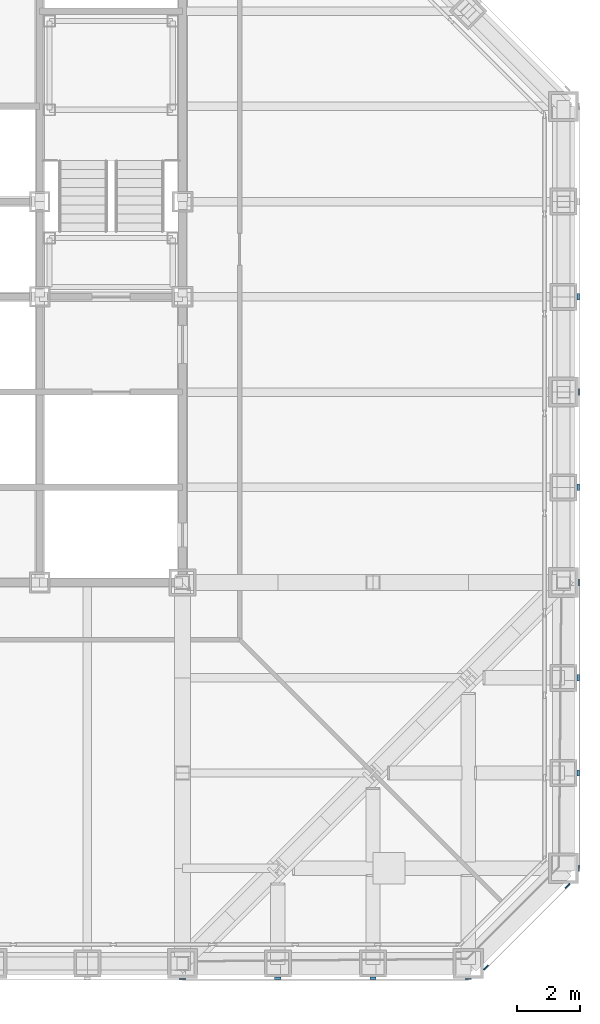
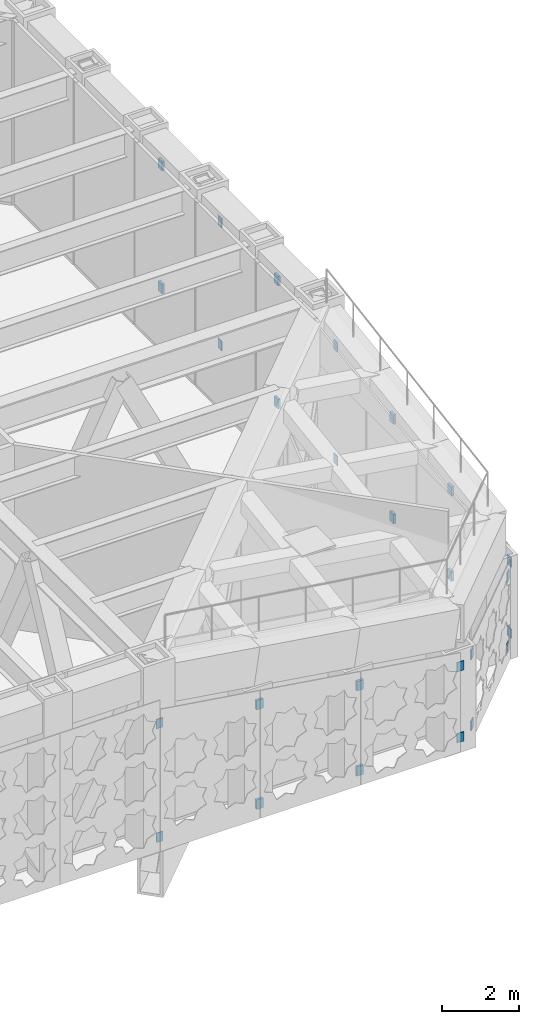
# One storey, part 15 of 28: 26 discrete accessories.
"""IFC4 building model written with IfcOpenShell, lengths in metres."""

from ifc_helpers import new_model, si_unit, direction, frame, origin, origin_2d, place, context, subcontext, project, spatial, rectangle, extrude, material, type_object, element, save


model = new_model("IFC4")

# Units and contexts
model_context = context("Model", 3, precision=1e-05, world=origin(), true_north=direction((0.0, 1.0)))
body_context = subcontext(model_context, "Body", "Model", "MODEL_VIEW")
ifc_project = project(units=[si_unit("LENGTHUNIT", "METRE"), si_unit("AREAUNIT", "SQUARE_METRE"), si_unit("VOLUMEUNIT", "CUBIC_METRE"), si_unit("PLANEANGLEUNIT", "RADIAN"), si_unit("MASSUNIT", "GRAM", prefix="KILO")], contexts=[model_context])

# Site, building, storey
site_placement = place(None, origin())
site = spatial("IfcSite", under=ifc_project, at=site_placement, CompositionType="ELEMENT")
building_placement = place(site_placement, origin())
building = spatial("IfcBuilding", under=site, at=building_placement, Name="Chuquiago Exchange Tower", CompositionType="ELEMENT")
storey_placement = place(building_placement, frame((0.0, 0.0, 174.0)))
storey = spatial("IfcBuildingStorey", under=building, at=storey_placement, Name="L38", CompositionType="ELEMENT", Elevation=174.0)

# Discrete accessories
ifc_material_1 = material(Name="Stainless steel plate bracket", Category="steel")
discrete_accessory_type_1 = type_object("IfcDiscreteAccessoryType", Name="GB4 cladding bracket 75", PredefinedType="BRACKET", material=ifc_material_1)
for number, where, z_axis, x_axis, name in (
    (1, (36.0, -0.46240234375, 0.35009765625), (0.0, 0.0, 1.0), (1.0, 0.0, 0.0), "Cladding bracket L38 S"),
    (2, (36.0, -0.46240234375, 3.498046875), (0.0, 0.0, 1.0), (1.0, 0.0, 0.0), "Cladding bracket L38 S"),
    (3, (39.0, -0.46240234375, 0.35009765625), (0.0, 0.0, 1.0), (1.0, 0.0, 0.0), "Cladding bracket L38 S"),
    (4, (39.0, -0.46240234375, 3.04736328125), (0.0, 0.0, 1.0), (1.0, 0.0, 0.0), "Cladding bracket L38 S"),
    (5, (45.46240234375, 6.0, 0.35009765625), (0.0, 0.0, 1.0), (0.0, 1.0, 0.0), "Cladding bracket L38 E"),
    (6, (45.46240234375, 6.0, 3.04736328125), (0.0, 0.0, 1.0), (0.0, 1.0, 0.0), "Cladding bracket L38 E"),
    (7, (45.46240234375, 9.0, 0.35009765625), (0.0, 0.0, 1.0), (0.0, 1.0, 0.0), "Cladding bracket L38 E"),
    (8, (45.46240234375, 9.0, 3.498046875), (0.0, 0.0, 1.0), (0.0, 1.0, 0.0), "Cladding bracket L38 E"),
    (9, (45.46240234375, 15.0, 0.35009765625), (0.0, 0.0, 1.0), (0.0, 1.0, 0.0), "Cladding bracket L38 E"),
    (10, (45.46240234375, 15.0, 4.23974609375), (0.0, 0.0, 1.0), (0.0, 1.0, 0.0), "Cladding bracket L38 E"),
    (11, (45.46240234375, 21.0, 0.35009765625), (0.0, 0.0, 1.0), (0.0, 1.0, 0.0), "Cladding bracket L38 E"),
    (12, (45.46240234375, 21.0, 4.23974609375), (0.0, 0.0, 1.0), (0.0, 1.0, 0.0), "Cladding bracket L38 E"),
):
    element("IfcDiscreteAccessory", number, at=place(storey_placement, frame(where, z_axis=z_axis, x_axis=x_axis)), inside=storey, type_object=discrete_accessory_type_1, Name=name, PredefinedType="BRACKET", context=body_context, shape_type="SweptSolid", body=[
        extrude(rectangle(XDim=0.199951171875, YDim=0.074951171875, at=origin_2d()), origin(), (0.0, 0.0, 1.0), 0.300048828125),
    ])
ifc_material_2 = material(Name="Stainless steel plate bracket", Category="steel")
discrete_accessory_type_2 = type_object("IfcDiscreteAccessoryType", Name="GB6 cladding bracket 35", PredefinedType="BRACKET", material=ifc_material_2)
for number, where, z_axis, x_axis, name in (
    (13, (42.55810546875, -0.123779296875, 0.35009765625), (0.0, 0.0, 1.0), (0.707106781187, 0.707106781187, 0.0), "Cladding bracket L38 SE"),
    (14, (42.55810546875, -0.123779296875, 2.59716796875), (0.0, 0.0, 1.0), (0.707106781187, 0.707106781187, 0.0), "Cladding bracket L38 SE"),
    (15, (45.123779296875, 2.44189453125, 0.35009765625), (0.0, 0.0, 1.0), (0.707106781187, 0.707106781187, 0.0), "Cladding bracket L38 SE"),
    (16, (45.123779296875, 2.44189453125, 2.59716796875), (0.0, 0.0, 1.0), (0.707106781187, 0.707106781187, 0.0), "Cladding bracket L38 SE"),
):
    element("IfcDiscreteAccessory", number, at=place(storey_placement, frame(where, z_axis=z_axis, x_axis=x_axis)), inside=storey, type_object=discrete_accessory_type_2, Name=name, PredefinedType="BRACKET", context=body_context, shape_type="SweptSolid", body=[
        extrude(rectangle(XDim=0.199951171875, YDim=0.035400390625, at=origin_2d()), origin(), (0.0, 0.0, 1.0), 0.300048828125),
    ])
ifc_material_3 = material(Name="Stainless steel plate bracket", Category="steel")
discrete_accessory_type_3 = type_object("IfcDiscreteAccessoryType", Name="GB7 cladding bracket 25", PredefinedType="BRACKET", material=ifc_material_3)
for number, where, z_axis, x_axis, name in (
    (17, (33.0, -0.487548828125, 0.35009765625), (0.0, 0.0, 1.0), (1.0, 0.0, 0.0), "Cladding bracket L38 S"),
    (18, (33.0, -0.487548828125, 3.94921875), (0.0, 0.0, 1.0), (1.0, 0.0, 0.0), "Cladding bracket L38 S"),
    (19, (42.0, -0.487548828125, 0.35009765625), (0.0, 0.0, 1.0), (1.0, 0.0, 0.0), "Cladding bracket L38 S"),
    (20, (42.0, -0.487548828125, 2.59814453125), (0.0, 0.0, 1.0), (1.0, 0.0, 0.0), "Cladding bracket L38 S"),
    (21, (45.487548828125, 3.0, 0.35009765625), (0.0, 0.0, 1.0), (0.0, 1.0, 0.0), "Cladding bracket L38 E"),
    (22, (45.487548828125, 3.0, 2.59814453125), (0.0, 0.0, 1.0), (0.0, 1.0, 0.0), "Cladding bracket L38 E"),
    (23, (45.487548828125, 12.0, 0.35009765625), (0.0, 0.0, 1.0), (0.0, 1.0, 0.0), "Cladding bracket L38 E"),
    (24, (45.487548828125, 12.0, 3.94921875), (0.0, 0.0, 1.0), (0.0, 1.0, 0.0), "Cladding bracket L38 E"),
    (25, (45.487548828125, 18.0, 0.35009765625), (0.0, 0.0, 1.0), (0.0, 1.0, 0.0), "Cladding bracket L38 E"),
    (26, (45.487548828125, 18.0, 4.23974609375), (0.0, 0.0, 1.0), (0.0, 1.0, 0.0), "Cladding bracket L38 E"),
):
    element("IfcDiscreteAccessory", number, at=place(storey_placement, frame(where, z_axis=z_axis, x_axis=x_axis)), inside=storey, type_object=discrete_accessory_type_3, Name=name, PredefinedType="BRACKET", context=body_context, shape_type="SweptSolid", body=[
        extrude(rectangle(XDim=0.199951171875, YDim=0.02490234375, at=origin_2d()), origin(), (0.0, 0.0, 1.0), 0.300048828125),
    ])

save(model, "model.ifc")
